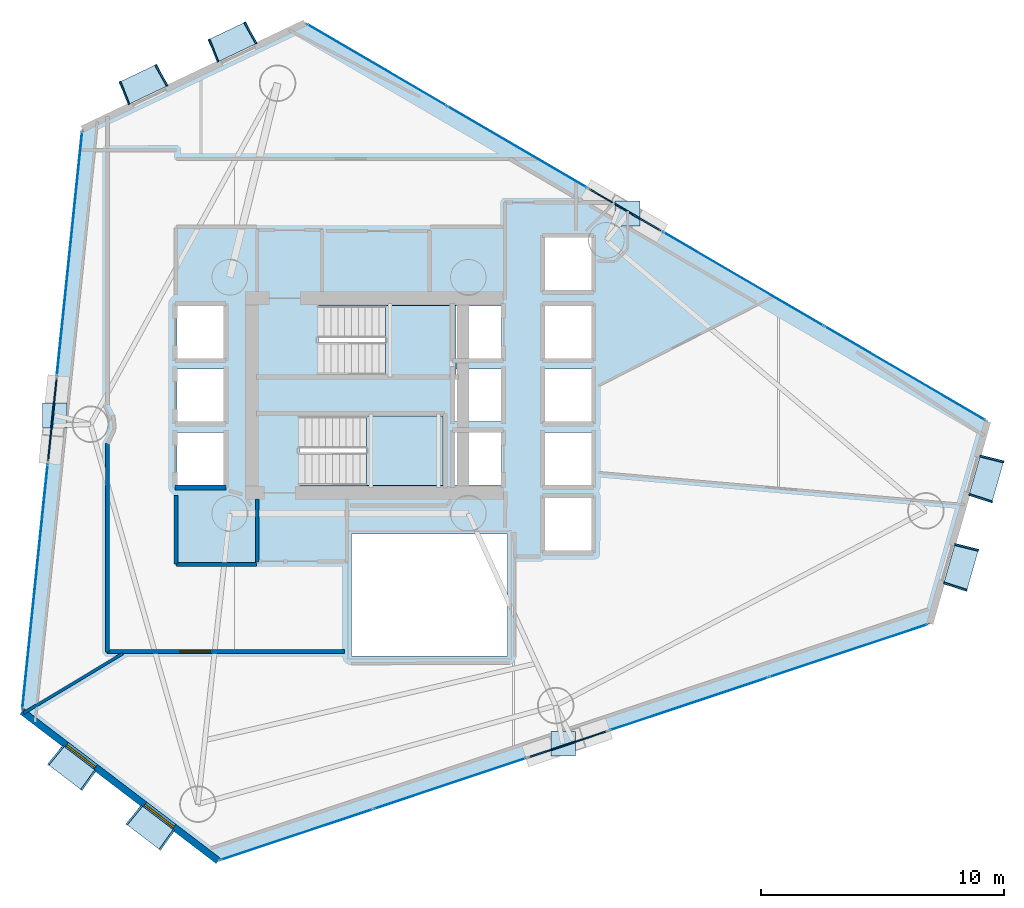
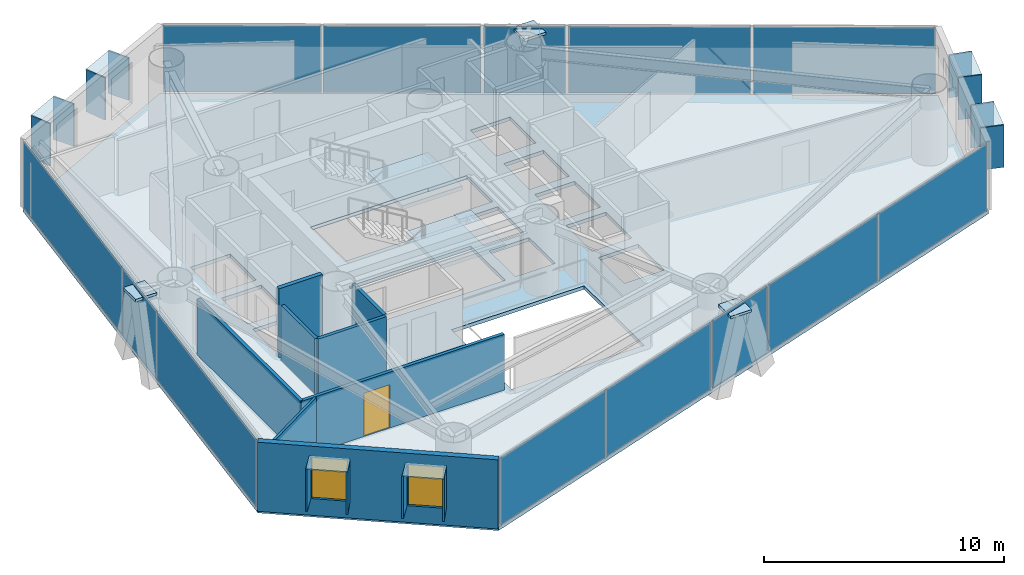
# One storey, part 13 of 19: 34 plates, 8 walls, 3 slabs, 2 windows, 1 door, 3 openings, 11 elements without a shape of their own.
"""IFC4 building model written with IfcOpenShell, lengths in metres."""

import ifcopenshell
import ifcopenshell.guid

model = None  # the IFC model being written
_history = None  # IfcOwnerHistory: only IFC2X3 demands one
_inside = {}  # id of a spatial element -> (the spatial element, [elements in it])
_under = {}  # id of a project, library or spatial element -> (it, [spatial elements below it])
_declared = {}  # id of a project -> (the project, [libraries it declares])
_typed = {}  # id of a type object -> (the type object, [elements of that type])
_made_of = {}  # id of a material, layer set ... -> (it, [elements and type objects made of it])


def new_model(schema):
    """Start an empty IFC model of exactly this schema.

    Asked for "IFC4X3", IfcOpenShell would pick the latest addendum, in which some entities
    have other attributes; the version numbers below select the first issue.
    IFC2X3 requires an IfcOwnerHistory on every rooted entity: one is made here for all.
    """
    global model, _history
    if schema == "IFC4X3":
        model = ifcopenshell.file(schema_version=(4, 3, 0, 0))
    else:
        model = ifcopenshell.file(schema=schema)
    _inside.clear()
    _under.clear()
    _declared.clear()
    _typed.clear()
    _made_of.clear()
    _history = None
    if model.schema == "IFC2X3":
        org = make("IfcOrganization", Name="unknown")
        user = make(
            "IfcPersonAndOrganization",
            ThePerson=make("IfcPerson", FamilyName="unknown"),
            TheOrganization=org,
        )
        app = make(
            "IfcApplication",
            ApplicationDeveloper=org,
            Version="unknown",
            ApplicationFullName="unknown",
            ApplicationIdentifier="unknown",
        )
        _history = make(
            "IfcOwnerHistory",
            OwningUser=user,
            OwningApplication=app,
            ChangeAction="ADDED",
            CreationDate=0,
        )
    return model


def make(cls, **values):
    """One entity of the class cls with the attributes given. An attribute that is None is left unset."""
    return model.create_entity(
        cls, **{name: value for name, value in values.items() if value is not None}
    )


def rooted(cls, **values):
    """An entity with a GlobalId (a new one), such as an element, a storey or a relation."""
    return make(cls, GlobalId=ifcopenshell.guid.new(), OwnerHistory=_history, **values)


def si_unit(unit_type, name, prefix=None):
    """IfcSIUnit, for example si_unit("LENGTHUNIT", "METRE", prefix="MILLI")."""
    return make("IfcSIUnit", UnitType=unit_type, Prefix=prefix, Name=name)


def assignment(units):
    """IfcUnitAssignment: the units of a project."""
    return None if units is None else make("IfcUnitAssignment", Units=units)


def point(xyz):
    """IfcCartesianPoint."""
    return None if xyz is None else make("IfcCartesianPoint", Coordinates=xyz)


def direction(xyz):
    """IfcDirection."""
    return None if xyz is None else make("IfcDirection", DirectionRatios=xyz)


def frame(location, z_axis=None, x_axis=None):
    """IfcAxis2Placement3D, a coordinate frame: its origin and axes. An axis left out is left unset."""
    return make(
        "IfcAxis2Placement3D",
        Location=point(location),
        Axis=direction(z_axis),
        RefDirection=direction(x_axis),
    )


def frame_2d(location, x_axis=None):
    """IfcAxis2Placement2D, a coordinate frame in the plane: its origin and x axis."""
    return make(
        "IfcAxis2Placement2D", Location=point(location), RefDirection=direction(x_axis)
    )


def origin():
    """The frame at (0, 0, 0) with its axes left unset."""
    return frame((0.0, 0.0, 0.0))


def origin_2d():
    """The frame at (0, 0) in the plane with its x axis left unset."""
    return frame_2d((0.0, 0.0))


def place(relative_to, where):
    """IfcLocalPlacement: puts the frame where relative to a parent placement (None: the world)."""
    return make(
        "IfcLocalPlacement", PlacementRelTo=relative_to, RelativePlacement=where
    )


def context(
    kind, dimensions, precision=None, world=None, true_north=None, identifier=None
):
    """IfcGeometricRepresentationContext, for example the 3D "Model" context."""
    return make(
        "IfcGeometricRepresentationContext",
        ContextIdentifier=identifier,
        ContextType=kind,
        CoordinateSpaceDimension=dimensions,
        Precision=precision,
        WorldCoordinateSystem=world,
        TrueNorth=true_north,
    )


def subcontext(parent, identifier, kind, view, scale=None):
    """IfcGeometricRepresentationSubContext, for example "Body" below "Model"."""
    return make(
        "IfcGeometricRepresentationSubContext",
        ContextIdentifier=identifier,
        ContextType=kind,
        ParentContext=parent,
        TargetScale=scale,
        TargetView=view,
    )


def project(units=None, contexts=None):
    """IfcProject with its units and contexts."""
    return rooted(
        "IfcProject",
        Name="project",
        RepresentationContexts=contexts,
        UnitsInContext=assignment(units),
    )


def spatial(cls, under=None, at=None, **own):
    """A site, building, storey or space (cls), placed at a placement, below another one or the project."""
    s = rooted(cls, ObjectPlacement=at, **own)
    if under is not None:
        _under.setdefault(under.id(), (under, []))[1].append(s)
    return s


def polyline(points):
    """IfcPolyline through the points."""
    return make("IfcPolyline", Points=[point(p) for p in points])


def profile(cls, at=None, kind="AREA", **sizes):
    """A parametric profile (cls). Its sizes go by their IFC names, for example OverallWidth=200.0."""
    return make(cls, ProfileType=kind, Position=at, **sizes)


def rectangle(**sizes):
    """IfcRectangleProfileDef."""
    return profile("IfcRectangleProfileDef", **sizes)


def outline(outer, holes=None, kind="AREA"):
    """IfcArbitraryClosedProfileDef: a profile drawn as a closed curve; with holes, ...WithVoids."""
    if holes is None:
        return make("IfcArbitraryClosedProfileDef", ProfileType=kind, OuterCurve=outer)
    return make(
        "IfcArbitraryProfileDefWithVoids",
        ProfileType=kind,
        OuterCurve=outer,
        InnerCurves=holes,
    )


def extrude(swept, where, along, depth):
    """IfcExtrudedAreaSolid: the profile swept, set in the frame where, extruded along a direction by depth."""
    return make(
        "IfcExtrudedAreaSolid",
        SweptArea=swept,
        Position=where,
        ExtrudedDirection=direction(along),
        Depth=depth,
    )


def shape(context_of_items, identifier, shape_type, items):
    """IfcShapeRepresentation: the items that make up one representation, for example the "Body"."""
    return make(
        "IfcShapeRepresentation",
        ContextOfItems=context_of_items,
        RepresentationIdentifier=identifier,
        RepresentationType=shape_type,
        Items=items,
    )


def material(Name=None, Category=None):
    """IfcMaterial."""
    return make("IfcMaterial", Name=Name, Category=Category)


def layer(
    of_material, thickness, ventilated=None, Name=None, Category=None, Priority=None
):
    """IfcMaterialLayer: one layer of a wall or slab, of a material (None: an air gap)."""
    return make(
        "IfcMaterialLayer",
        Material=of_material,
        LayerThickness=thickness,
        IsVentilated=ventilated,
        Name=Name,
        Category=Category,
        Priority=Priority,
    )


def layer_set(layers, Name=None):
    """IfcMaterialLayerSet."""
    return make("IfcMaterialLayerSet", MaterialLayers=layers, LayerSetName=Name)


def made_of(thing, what):
    """Note that an element or type object is made of a material, layer set ...; save() writes the relation."""
    if what is not None:
        _made_of.setdefault(what.id(), (what, []))[1].append(thing)
    return thing


def type_object(cls, material=None, **own):
    """A type object (cls), such as IfcWallType, which elements share."""
    return made_of(rooted(cls, **own), material)


def element(
    cls,
    number,
    at=None,
    inside=None,
    cuts=None,
    type_object=None,
    material=None,
    context=None,
    identifier="Body",
    shape_type=None,
    held_by="IfcProductDefinitionShape",
    body=None,
    shapes=None,
    **own,
):
    """One element of the class cls, such as IfcWall. Its Tag is "e" and its number.

    at: its placement. inside: the storey or other place that contains it. cuts: it is an
    opening in that element (IfcRelVoidsElement). A single representation is given by context,
    identifier, shape_type and body (its items); several are given by shapes. held_by: the class
    of the entity that holds the representations. save() writes the other relations.
    """
    e = rooted(cls, Tag="e%d" % number, ObjectPlacement=at, **own)
    if body is not None:
        shapes = [shape(context, identifier, shape_type, body)]
    if shapes is not None:
        e.Representation = make(held_by, Representations=shapes)
    if inside is not None:
        _inside.setdefault(inside.id(), (inside, []))[1].append(e)
    if cuts is not None:
        rooted(
            "IfcRelVoidsElement", RelatingBuildingElement=cuts, RelatedOpeningElement=e
        )
    if type_object is not None:
        _typed.setdefault(type_object.id(), (type_object, []))[1].append(e)
    return made_of(e, material)


def fill(opening, filler):
    """IfcRelFillsElement: the door or window that sits in an opening."""
    return rooted(
        "IfcRelFillsElement",
        RelatingOpeningElement=opening,
        RelatedBuildingElement=filler,
    )


def aggregate(whole, parts):
    """IfcRelAggregates: a whole, such as a stair, and the parts it consists of."""
    return rooted("IfcRelAggregates", RelatingObject=whole, RelatedObjects=parts)


def save(model, path):
    """Write the relations noted so far, then the file.

    IfcRelAggregates (storeys below a building ...), IfcRelContainedInSpatialStructure (elements
    in a storey), IfcRelDefinesByType, IfcRelAssociatesMaterial and IfcRelDeclares: one each for
    every whole, place, type object, material and project.
    """
    for whole, parts in _under.values():
        aggregate(whole, parts)
    for where, things in _inside.values():
        rooted(
            "IfcRelContainedInSpatialStructure",
            RelatedElements=things,
            RelatingStructure=where,
        )
    for kind, things in _typed.values():
        rooted("IfcRelDefinesByType", RelatedObjects=things, RelatingType=kind)
    for what, things in _made_of.values():
        rooted("IfcRelAssociatesMaterial", RelatedObjects=things, RelatingMaterial=what)
    for by, libraries in _declared.values():
        rooted("IfcRelDeclares", RelatingContext=by, RelatedDefinitions=libraries)
    model.write(path)


model = new_model("IFC4")

# Units and contexts
model_context = context("Model", 3, precision=1e-05, world=origin(), true_north=direction((0.0, 1.0)))
body_context = subcontext(model_context, "Body", "Model", "MODEL_VIEW")
ifc_project = project(units=[si_unit("LENGTHUNIT", "METRE"), si_unit("AREAUNIT", "SQUARE_METRE"), si_unit("VOLUMEUNIT", "CUBIC_METRE"), si_unit("PLANEANGLEUNIT", "RADIAN"), si_unit("MASSUNIT", "GRAM", prefix="KILO")], contexts=[model_context])

# Site, building, storey
site_placement = place(None, origin())
site = spatial("IfcSite", under=ifc_project, at=site_placement, CompositionType="ELEMENT")
building_placement = place(site_placement, origin())
building = spatial("IfcBuilding", under=site, at=building_placement, Name="Qianvela Tower", CompositionType="ELEMENT")
storey_placement = place(building_placement, frame((0.0, 0.0, 120.0)))
storey = spatial("IfcBuildingStorey", under=building, at=storey_placement, Name="L30", CompositionType="ELEMENT", Elevation=120.0)

# Curtain wall, plate
ifc_material_1 = material(Name="Anodised Architectural Aluminium and Insulated Spandrel Panel", Category="aluminium")
ifc_layer_1 = layer(ifc_material_1, 0.179931640625)
ifc_layer_set_1 = layer_set([ifc_layer_1], Name="Anodised Architectural Aluminium and Insulated Spandrel Panel")
curtain_wall_type_1 = type_object("IfcCurtainWallType", Name="CW-BRACEBAY", PredefinedType="USERDEFINED", material=ifc_layer_set_1)
curtain_wall_1_placement = place(storey_placement, origin())
curtain_wall_1 = element("IfcCurtainWall", 1, at=curtain_wall_1_placement, inside=storey, type_object=curtain_wall_type_1, Name="L30 CW-BRACEBAY Curtain Wall 02B", ObjectType="CURTAIN_WALL_SYSTEM", PredefinedType="USERDEFINED")
ifc_material_2 = material(Name="Insulated Aluminium Spandrel Panel with Mineral-Wool Backpan", Category="aluminium")
ifc_layer_2 = layer(ifc_material_2, 0.06005859375)
ifc_layer_set_2 = layer_set([ifc_layer_2], Name="Insulated Aluminium Spandrel Panel with Mineral-Wool Backpan")
plate_type_1 = type_object("IfcPlateType", Name="CW-BRACEBAY-PNL", PredefinedType="CURTAIN_PANEL", material=ifc_layer_set_2)
plate_1_placement = place(storey_placement, frame((44.83203125, 36.32275390625, 0.06494140625), z_axis=(0.0, 0.0, 1.0), x_axis=(-0.863644274059, 0.504101743584, 0.0)))
plate_1 = element("IfcPlate", 2, at=plate_1_placement, type_object=plate_type_1, Name="CW-9 panel 1.1", PredefinedType="CURTAIN_PANEL", context=body_context, shape_type="SweptSolid", body=[
    extrude(rectangle(XDim=3.400146484375, YDim=0.06005859375, at=origin_2d()), origin(), (0.0, 0.0, 1.0), 3.389892578125),
])
aggregate(curtain_wall_1, [plate_1])

curtain_wall_2_placement = place(storey_placement, origin())
curtain_wall_2 = element("IfcCurtainWall", 3, at=curtain_wall_2_placement, inside=storey, type_object=curtain_wall_type_1, Name="L30 CW-BRACEBAY Curtain Wall 04B", ObjectType="CURTAIN_WALL_SYSTEM", PredefinedType="USERDEFINED")
plate_2_placement = place(storey_placement, frame((21.310546875, 27.698486328125, 0.06494140625), z_axis=(0.0, 0.0, 1.0), x_axis=(-0.103143671977, -0.994666468185, 0.0)))
plate_2 = element("IfcPlate", 4, at=plate_2_placement, type_object=plate_type_1, Name="CW-9 panel 1.1", PredefinedType="CURTAIN_PANEL", context=body_context, shape_type="SweptSolid", body=[
    extrude(rectangle(XDim=3.400146484375, YDim=0.06005859375, at=origin_2d()), origin(), (0.0, 0.0, 1.0), 3.389892578125),
])
aggregate(curtain_wall_2, [plate_2])

curtain_wall_3_placement = place(storey_placement, origin())
curtain_wall_3 = element("IfcCurtainWall", 5, at=curtain_wall_3_placement, inside=storey, type_object=curtain_wall_type_1, Name="L30 CW-BRACEBAY Curtain Wall 06B", ObjectType="CURTAIN_WALL_SYSTEM", PredefinedType="USERDEFINED")
plate_3_placement = place(storey_placement, frame((42.49072265625, 14.3701171875, 0.06494140625), z_axis=(0.0, 0.0, 1.0), x_axis=(0.948691796246, 0.31620227029, 0.0)))
plate_3 = element("IfcPlate", 6, at=plate_3_placement, type_object=plate_type_1, Name="CW-9 panel 1.1", PredefinedType="CURTAIN_PANEL", context=body_context, shape_type="SweptSolid", body=[
    extrude(rectangle(XDim=3.39990234375, YDim=0.06005859375, at=origin_2d()), origin(), (0.0, 0.0, 1.0), 3.389892578125),
])
aggregate(curtain_wall_3, [plate_3])

# Curtain wall, plates
ifc_material_3 = material(Name="Anodised Architectural Aluminium and Low-E Glass", Category="aluminium")
ifc_layer_3 = layer(ifc_material_3, 0.169921875)
ifc_layer_set_3 = layer_set([ifc_layer_3], Name="Anodised Architectural Aluminium and Low-E Glass")
curtain_wall_type_2 = type_object("IfcCurtainWallType", Name="CW-COLIV-Z34", PredefinedType="USERDEFINED", material=ifc_layer_set_3)
curtain_wall_4_placement = place(storey_placement, origin())
curtain_wall_4 = element("IfcCurtainWall", 7, at=curtain_wall_4_placement, inside=storey, type_object=curtain_wall_type_2, Name="L30 CW-COLIV-Z34 Curtain Wall 02A", ObjectType="CURTAIN_WALL_SYSTEM", PredefinedType="USERDEFINED")
ifc_material_4 = material(Name="Double-Silver Low-E Insulated Glass", Category="glass")
ifc_layer_4 = layer(ifc_material_4, 0.028076171875)
ifc_layer_set_4 = layer_set([ifc_layer_4], Name="Double-Silver Low-E Insulated Glass")
plate_type_2 = type_object("IfcPlateType", Name="CW-COLIV-Z34-PNL", PredefinedType="CURTAIN_PANEL", material=ifc_layer_set_4)
plate_4_placement = place(storey_placement, frame((56.3369140625, 29.607177734375, 0.06494140625), z_axis=(0.0, 0.0, 1.0), x_axis=(-0.863631717425, 0.504123255422, 0.0)))
plate_4 = element("IfcPlate", 8, at=plate_4_placement, type_object=plate_type_2, Name="CW-4 panel 1.1", PredefinedType="CURTAIN_PANEL", context=body_context, shape_type="SweptSolid", body=[
    extrude(rectangle(XDim=7.617431640625, YDim=0.028076171875, at=origin_2d()), origin(), (0.0, 0.0, 1.0), 3.389892578125),
])
plate_5_placement = place(storey_placement, frame((49.701904296875, 33.47998046875, 0.06494140625), z_axis=(0.0, 0.0, 1.0), x_axis=(-0.863631717425, 0.504123255422, 0.0)))
plate_5 = element("IfcPlate", 9, at=plate_5_placement, type_object=plate_type_2, Name="CW-4 panel 2.1", PredefinedType="CURTAIN_PANEL", context=body_context, shape_type="SweptSolid", body=[
    extrude(rectangle(XDim=7.617431640625, YDim=0.028076171875, at=origin_2d()), origin(), (0.0, 0.0, 1.0), 3.389892578125),
])
aggregate(curtain_wall_4, [plate_4, plate_5])

curtain_wall_5_placement = place(storey_placement, origin())
curtain_wall_5 = element("IfcCurtainWall", 10, at=curtain_wall_5_placement, inside=storey, type_object=curtain_wall_type_2, Name="L30 CW-COLIV-Z34 Curtain Wall 02C", ObjectType="CURTAIN_WALL_SYSTEM", PredefinedType="USERDEFINED")
plate_6_placement = place(storey_placement, frame((40.400390625, 38.909423828125, 0.06494140625), z_axis=(0.0, 0.0, 1.0), x_axis=(-0.86363163287, 0.504123400276, 0.0)))
plate_6 = element("IfcPlate", 11, at=plate_6_placement, type_object=plate_type_2, Name="CW-4 panel 1.1", PredefinedType="CURTAIN_PANEL", context=body_context, shape_type="SweptSolid", body=[
    extrude(rectangle(XDim=6.60302734375, YDim=0.028076171875, at=origin_2d()), origin(), (0.0, 0.0, 1.0), 3.389892578125),
])
plate_7_placement = place(storey_placement, frame((34.6416015625, 42.27099609375, 0.06494140625), z_axis=(0.0, 0.0, 1.0), x_axis=(-0.86363163287, 0.504123400276, 0.0)))
plate_7 = element("IfcPlate", 12, at=plate_7_placement, type_object=plate_type_2, Name="CW-4 panel 2.1", PredefinedType="CURTAIN_PANEL", context=body_context, shape_type="SweptSolid", body=[
    extrude(rectangle(XDim=6.60302734375, YDim=0.028076171875, at=origin_2d()), origin(), (0.0, 0.0, 1.0), 3.389892578125),
])
aggregate(curtain_wall_5, [plate_6, plate_7])

# Curtain wall, plate
curtain_wall_6_placement = place(storey_placement, origin())
curtain_wall_6 = element("IfcCurtainWall", 13, at=curtain_wall_6_placement, inside=storey, type_object=curtain_wall_type_2, Name="L30 CW-COLIV-Z34 Curtain Wall 04A", ObjectType="CURTAIN_WALL_SYSTEM", PredefinedType="USERDEFINED")
plate_8_placement = place(storey_placement, frame((22.01806640625, 34.521728515625, 0.06494140625), z_axis=(0.0, 0.0, 1.0), x_axis=(-0.10313016986, -0.994667868218, 0.0)))
plate_8 = element("IfcPlate", 14, at=plate_8_placement, type_object=plate_type_2, Name="CW-4 panel 1.1", PredefinedType="CURTAIN_PANEL", context=body_context, shape_type="SweptSolid", body=[
    extrude(rectangle(XDim=10.06005859375, YDim=0.028076171875, at=origin_2d()), origin(), (0.0, 0.0, 1.0), 3.389892578125),
])
aggregate(curtain_wall_6, [plate_8])

curtain_wall_7_placement = place(storey_placement, origin())
curtain_wall_7 = element("IfcCurtainWall", 15, at=curtain_wall_7_placement, inside=storey, type_object=curtain_wall_type_2, Name="L30 CW-COLIV-Z34 Curtain Wall 04C", ObjectType="CURTAIN_WALL_SYSTEM", PredefinedType="USERDEFINED")
plate_9_placement = place(storey_placement, frame((20.60107421875, 20.85546875, 0.06494140625), z_axis=(0.0, 0.0, 1.0), x_axis=(-0.103135621161, -0.994667302995, 0.0)))
plate_9 = element("IfcPlate", 16, at=plate_9_placement, type_object=plate_type_2, Name="CW-4 panel 1.1", PredefinedType="CURTAIN_PANEL", context=body_context, shape_type="SweptSolid", body=[
    extrude(rectangle(XDim=10.099365234375, YDim=0.028076171875, at=origin_2d()), origin(), (0.0, 0.0, 1.0), 3.389892578125),
])
aggregate(curtain_wall_7, [plate_9])

# Curtain wall, plates
curtain_wall_8_placement = place(storey_placement, origin())
curtain_wall_8 = element("IfcCurtainWall", 17, at=curtain_wall_8_placement, inside=storey, type_object=curtain_wall_type_2, Name="L30 CW-COLIV-Z34 Curtain Wall 06A", ObjectType="CURTAIN_WALL_SYSTEM", PredefinedType="USERDEFINED")
plate_10_placement = place(storey_placement, frame((31.346923828125, 10.656005859375, 0.06494140625), z_axis=(0.0, 0.0, 1.0), x_axis=(0.948693800142, 0.316196257999, 0.0)))
plate_10 = element("IfcPlate", 18, at=plate_10_placement, type_object=plate_type_2, Name="CW-4 panel 1.1", PredefinedType="CURTAIN_PANEL", context=body_context, shape_type="SweptSolid", body=[
    extrude(rectangle(XDim=6.567626953125, YDim=0.028076171875, at=origin_2d()), origin(), (0.0, 0.0, 1.0), 3.389892578125),
])
plate_11_placement = place(storey_placement, frame((37.63916015625, 12.753173828125, 0.06494140625), z_axis=(0.0, 0.0, 1.0), x_axis=(0.948693800142, 0.316196257999, 0.0)))
plate_11 = element("IfcPlate", 19, at=plate_11_placement, type_object=plate_type_2, Name="CW-4 panel 2.1", PredefinedType="CURTAIN_PANEL", context=body_context, shape_type="SweptSolid", body=[
    extrude(rectangle(XDim=6.567626953125, YDim=0.028076171875, at=origin_2d()), origin(), (0.0, 0.0, 1.0), 3.389892578125),
])
aggregate(curtain_wall_8, [plate_10, plate_11])

curtain_wall_9_placement = place(storey_placement, origin())
curtain_wall_9 = element("IfcCurtainWall", 20, at=curtain_wall_9_placement, inside=storey, type_object=curtain_wall_type_2, Name="L30 CW-COLIV-Z34 Curtain Wall 06C", ObjectType="CURTAIN_WALL_SYSTEM", PredefinedType="USERDEFINED")
plate_12_placement = place(storey_placement, frame((47.465576171875, 16.0283203125, 0.06494140625), z_axis=(0.0, 0.0, 1.0), x_axis=(0.948694127089, 0.316195277047, 0.0)))
plate_12 = element("IfcPlate", 21, at=plate_12_placement, type_object=plate_type_2, Name="CW-4 panel 1.1", PredefinedType="CURTAIN_PANEL", context=body_context, shape_type="SweptSolid", body=[
    extrude(rectangle(XDim=6.827880859375, YDim=0.028076171875, at=origin_2d()), origin(), (0.0, 0.0, 1.0), 3.389892578125),
])
plate_13_placement = place(storey_placement, frame((54.0048828125, 18.207763671875, 0.06494140625), z_axis=(0.0, 0.0, 1.0), x_axis=(0.948694127089, 0.316195277047, 0.0)))
plate_13 = element("IfcPlate", 22, at=plate_13_placement, type_object=plate_type_2, Name="CW-4 panel 2.1", PredefinedType="CURTAIN_PANEL", context=body_context, shape_type="SweptSolid", body=[
    extrude(rectangle(XDim=6.827880859375, YDim=0.028076171875, at=origin_2d()), origin(), (0.0, 0.0, 1.0), 3.389892578125),
])
aggregate(curtain_wall_9, [plate_12, plate_13])

# Plates
ifc_material_5 = material(Name="Steel Q420GJC", Category="steel")
ifc_layer_5 = layer(ifc_material_5, 0.1298828125)
ifc_layer_set_5 = layer_set([ifc_layer_5], Name="Steel Q420GJC")
plate_type_3 = type_object("IfcPlateType", Name="PT-ENDCAP-130", PredefinedType="USERDEFINED", material=ifc_layer_set_5)
for number, where, z_axis, x_axis, name in (
    (23, (44.943603515625, 36.1650390625, 3.210205078125), (0.0, 0.0, 1.0), (1.0, 0.0, 0.0), "L30 Hollow Section End Cap Plate B"),
    (24, (21.408935546875, 27.870849609375, 3.210205078125), (0.0, 0.0, 1.0), (1.0, 0.0, 0.0), "L30 Hollow Section End Cap Plate B"),
    (25, (42.2978515625, 14.39013671875, 3.210205078125), (0.0, 0.0, 1.0), (1.0, 0.0, 0.0), "L30 Hollow Section End Cap Plate B"),
):
    element("IfcPlate", number, at=place(storey_placement, frame(where, z_axis=z_axis, x_axis=x_axis)), inside=storey, type_object=plate_type_3, Name=name, ObjectType="END_CAP", PredefinedType="USERDEFINED", context=body_context, shape_type="SweptSolid", body=[
        extrude(rectangle(XDim=1.02001953125, YDim=1.02001953125, at=origin_2d()), origin(), (0.0, 0.0, 1.0), 0.1298828125),
    ])

# Slab
ifc_material_6 = material(Name="Concrete C40", Category="concrete")
ifc_layer_6 = layer(ifc_material_6, 0.179931640625)
ifc_layer_set_6 = layer_set([ifc_layer_6], Name="Concrete C40")
slab_type_1 = type_object("IfcSlabType", Name="SL-FLOOR-180", PredefinedType="FLOOR", material=ifc_layer_set_6)
slab_1_placement = place(storey_placement, frame((0.0, 0.0, -0.179931640625)))
element("IfcSlab", 26, at=slab_1_placement, inside=storey, type_object=slab_type_1, Name="L30 Composite Structural Floor Slab", PredefinedType="FLOOR", context=body_context, shape_type="SweptSolid", body=[
    extrude(outline(polyline([(57.352783203125, 19.323486328125), (59.7255859375, 27.629150390625), (31.69091796875, 43.993408203125), (22.548828125, 39.639404296875), (20.068359375, 15.718505859375), (28.122802734375, 9.581298828125), (57.352783203125, 19.323486328125)]), holes=[polyline([(40.0, 23.0), (33.60009765625, 23.0), (33.60009765625, 18.0), (40.0, 18.0), (40.0, 23.0)]), polyline([(28.360107421875, 25.02001953125), (28.360107421875, 27.179931640625), (26.43994140625, 27.179931640625), (26.43994140625, 25.02001953125), (28.360107421875, 25.02001953125)]), polyline([(37.35009765625, 25.0), (37.35009765625, 27.860107421875), (31.469970703125, 27.860107421875), (31.469970703125, 25.0), (37.35009765625, 25.0)]), polyline([(28.360107421875, 27.6201171875), (28.360107421875, 29.780029296875), (26.43994140625, 29.780029296875), (26.43994140625, 27.6201171875), (28.360107421875, 27.6201171875)]), polyline([(37.89990234375, 32.3798828125), (37.89990234375, 32.39990234375), (32.25, 32.39990234375), (32.25, 29.5400390625), (37.840087890625, 29.5400390625), (37.840087890625, 27.6201171875), (39.760009765625, 27.6201171875), (39.760009765625, 29.780029296875), (37.89990234375, 29.780029296875), (37.89990234375, 30.219970703125), (39.760009765625, 30.219970703125), (39.760009765625, 32.3798828125), (37.89990234375, 32.3798828125)]), polyline([(28.360107421875, 30.219970703125), (28.360107421875, 32.3798828125), (26.43994140625, 32.3798828125), (26.43994140625, 30.219970703125), (28.360107421875, 30.219970703125)]), polyline([(43.4599609375, 24.47998046875), (41.5400390625, 24.47998046875), (41.5400390625, 22.320068359375), (43.4599609375, 22.320068359375), (43.4599609375, 24.47998046875)]), polyline([(39.760009765625, 25.02001953125), (39.760009765625, 27.179931640625), (37.840087890625, 27.179931640625), (37.840087890625, 25.02001953125), (39.760009765625, 25.02001953125)]), polyline([(43.4599609375, 25.02001953125), (43.4599609375, 27.179931640625), (41.5400390625, 27.179931640625), (41.5400390625, 25.02001953125), (43.4599609375, 25.02001953125)]), polyline([(43.4599609375, 27.6201171875), (43.4599609375, 29.780029296875), (41.5400390625, 29.780029296875), (41.5400390625, 27.6201171875), (43.4599609375, 27.6201171875)]), polyline([(43.4599609375, 30.219970703125), (43.4599609375, 32.3798828125), (41.5400390625, 32.3798828125), (41.5400390625, 30.219970703125), (43.4599609375, 30.219970703125)]), polyline([(43.4599609375, 33.02001953125), (43.4599609375, 35.179931640625), (41.5400390625, 35.179931640625), (41.5400390625, 33.02001953125), (43.4599609375, 33.02001953125)])]), origin(), (0.0, 0.0, 1.0), 0.179931640625),
])

# Stair, slab
ifc_material_7 = material(Name="Concrete C40", Category="concrete")
stair_type = type_object("IfcStairType", Name="ST-DOGLEG-1350-R168-N22", PredefinedType="HALF_TURN_STAIR", material=ifc_material_7)
stair_1_placement = place(storey_placement, origin())
stair_1 = element("IfcStair", 27, at=stair_1_placement, inside=storey, type_object=stair_type, Name="L30 Smoke-Proof Core Stair ST-1", PredefinedType="HALF_TURN_STAIR")
ifc_material_8 = material(Name="Concrete C40", Category="concrete")
ifc_layer_7 = layer(ifc_material_8, 0.199951171875)
ifc_layer_set_7 = layer_set([ifc_layer_7], Name="Concrete C40")
slab_type_2 = type_object("IfcSlabType", Name="SL-STAIR-LANDING-200", PredefinedType="LANDING", material=ifc_layer_set_7)
slab_2_placement = place(storey_placement, frame((0.0, 0.0, 1.64990234375)))
slab_2 = element("IfcSlab", 28, at=slab_2_placement, type_object=slab_type_2, Name="ST-1 landing 1", PredefinedType="LANDING", context=body_context, shape_type="SweptSolid", body=[
    extrude(outline(polyline([(35.0, 29.5400390625), (37.89990234375, 29.5400390625), (37.89990234375, 32.39990234375), (35.0, 32.39990234375), (35.0, 29.5400390625)])), origin(), (0.0, 0.0, 1.0), 0.2001953125),
])
aggregate(stair_1, [slab_2])

stair_2_placement = place(storey_placement, origin())
stair_2 = element("IfcStair", 29, at=stair_2_placement, inside=storey, type_object=stair_type, Name="L30 Smoke-Proof Core Stair ST-2", PredefinedType="HALF_TURN_STAIR")
slab_3_placement = place(storey_placement, frame((0.0, 0.0, 1.64990234375)))
slab_3 = element("IfcSlab", 30, at=slab_3_placement, type_object=slab_type_2, Name="ST-2 landing 1", PredefinedType="LANDING", context=body_context, shape_type="SweptSolid", body=[
    extrude(outline(polyline([(34.219970703125, 25.0), (37.35009765625, 25.0), (37.35009765625, 27.860107421875), (34.219970703125, 27.860107421875), (34.219970703125, 25.0)])), origin(), (0.0, 0.0, 1.0), 0.2001953125),
])
aggregate(stair_2, [slab_3])

# Plates
ifc_material_9 = material(Name="Vitrified Architectural Terracotta Panel", Category="masonry")
ifc_layer_8 = layer(ifc_material_9, 0.06005859375)
ifc_layer_set_8 = layer_set([ifc_layer_8], Name="Vitrified Architectural Terracotta Panel")
plate_type_4 = type_object("IfcPlateType", Name="TERRACOTTA-SUNSHADE-HOOD-FOLD-A", PredefinedType="USERDEFINED", material=ifc_layer_set_8)
for number, where, z_axis, x_axis, name in (
    (31, (28.6923828125, 43.224365234375, 2.9599609375), (0.0, 0.0, 1.0), (-0.902838344487, -0.429980143407, 0.0), "L30 Terracotta Sunshade Hood FOLD-A"),
    (32, (25.03564453125, 41.48291015625, 2.9599609375), (0.0, 0.0, 1.0), (-0.902838344487, -0.429980143407, 0.0), "L30 Terracotta Sunshade Hood FOLD-A"),
):
    element("IfcPlate", number, at=place(storey_placement, frame(where, z_axis=z_axis, x_axis=x_axis)), inside=storey, type_object=plate_type_4, Name=name, ObjectType="SUNSHADE", PredefinedType="USERDEFINED", context=body_context, shape_type="SweptSolid", body=[
        extrude(rectangle(XDim=1.739990234375, YDim=0.989990234375, at=origin_2d()), origin(), (0.0, 0.0, 1.0), 0.06005859375),
    ])
ifc_material_10 = material(Name="Vitrified Architectural Terracotta Panel", Category="masonry")
ifc_layer_9 = layer(ifc_material_10, 0.070068359375)
ifc_layer_set_9 = layer_set([ifc_layer_9], Name="Vitrified Architectural Terracotta Panel")
plate_type_5 = type_object("IfcPlateType", Name="TERRACOTTA-SUNSHADE-HOOD-FOLD-C", PredefinedType="USERDEFINED", material=ifc_layer_set_9)
for number, where, z_axis, x_axis, name in (
    (33, (58.63671875, 21.65185546875, 2.9599609375), (0.0, 0.0, 1.0), (0.274689311195, 0.961533037558, 0.0), "L30 Terracotta Sunshade Hood FOLD-C"),
    (34, (59.673583984375, 25.28173828125, 2.9599609375), (0.0, 0.0, 1.0), (0.274689311195, 0.961533037558, 0.0), "L30 Terracotta Sunshade Hood FOLD-C"),
    (35, (22.1240234375, 13.404052734375, 2.9599609375), (0.0, 0.0, 1.0), (0.795407901942, -0.606074475232, 0.0), "L30 Terracotta Sunshade Hood FOLD-C"),
    (36, (25.345703125, 10.94921875, 2.9599609375), (0.0, 0.0, 1.0), (0.795407901942, -0.606074475232, 0.0), "L30 Terracotta Sunshade Hood FOLD-C"),
):
    element("IfcPlate", number, at=place(storey_placement, frame(where, z_axis=z_axis, x_axis=x_axis)), inside=storey, type_object=plate_type_5, Name=name, ObjectType="SUNSHADE", PredefinedType="USERDEFINED", context=body_context, shape_type="SweptSolid", body=[
        extrude(rectangle(XDim=1.739990234375, YDim=0.989990234375, at=origin_2d()), origin(), (0.0, 0.0, 1.0), 0.06005859375),
    ])
ifc_material_11 = material(Name="Vitrified Architectural Terracotta Side Fin Panel", Category="masonry")
ifc_layer_10 = layer(ifc_material_11, 0.06494140625)
ifc_layer_set_10 = layer_set([ifc_layer_10], Name="Vitrified Architectural Terracotta Side Fin Panel")
plate_type_6 = type_object("IfcPlateType", Name="TERRACOTTA-SUNSHADE-STRUT-FOLD-A", PredefinedType="USERDEFINED", material=ifc_layer_set_10)
for number, where, z_axis, x_axis, name in (
    (37, (29.450927734375, 43.585693359375, 0.85009765625), (0.0, 0.0, 1.0), (-0.870645177072, -0.491911552661, 0.0), "L30 Terracotta Sunshade Side Fin HL FOLD-A"),
    (38, (27.93408203125, 42.86328125, 0.85009765625), (0.0, 0.0, 1.0), (-0.93063297424, -0.365953914116, 0.0), "L30 Terracotta Sunshade Side Fin HR FOLD-A"),
    (39, (25.7939453125, 41.843994140625, 0.85009765625), (0.0, 0.0, 1.0), (-0.870645177072, -0.491911552661, 0.0), "L30 Terracotta Sunshade Side Fin HL FOLD-A"),
    (40, (24.277099609375, 41.12158203125, 0.85009765625), (0.0, 0.0, 1.0), (-0.93063297424, -0.365953914116, 0.0), "L30 Terracotta Sunshade Side Fin HR FOLD-A"),
):
    element("IfcPlate", number, at=place(storey_placement, frame(where, z_axis=z_axis, x_axis=x_axis)), inside=storey, type_object=plate_type_6, Name=name, ObjectType="SUNSHADE", PredefinedType="USERDEFINED", context=body_context, shape_type="SweptSolid", body=[
        extrude(rectangle(XDim=0.06494140625, YDim=1.010009765625, at=origin_2d()), origin(), (0.0, 0.0, 1.0), 2.159912109375),
    ])
ifc_material_12 = material(Name="Vitrified Architectural Terracotta Side Fin Panel", Category="masonry")
ifc_layer_11 = layer(ifc_material_12, 0.074951171875)
ifc_layer_set_11 = layer_set([ifc_layer_11], Name="Vitrified Architectural Terracotta Side Fin Panel")
plate_type_7 = type_object("IfcPlateType", Name="TERRACOTTA-SUNSHADE-STRUT-FOLD-C", PredefinedType="USERDEFINED", material=ifc_layer_set_11)
for number, where, z_axis, x_axis, name in (
    (41, (58.406005859375, 20.843994140625, 0.85009765625), (0.0, 0.0, 1.0), (0.308078996962, 0.951360778901, 0.0), "L30 Terracotta Sunshade Side Fin HL FOLD-C"),
    (42, (58.867431640625, 22.45947265625, 0.85009765625), (0.0, 0.0, 1.0), (0.240964958815, 0.970533816321, 0.0), "L30 Terracotta Sunshade Side Fin HR FOLD-C"),
    (43, (59.443115234375, 24.47412109375, 0.85009765625), (0.0, 0.0, 1.0), (0.308078996962, 0.951360778901, 0.0), "L30 Terracotta Sunshade Side Fin HL FOLD-C"),
    (44, (59.904296875, 26.08935546875, 0.85009765625), (0.0, 0.0, 1.0), (0.240964958815, 0.970533816321, 0.0), "L30 Terracotta Sunshade Side Fin HR FOLD-C"),
    (45, (21.455810546875, 13.9130859375, 0.85009765625), (0.0, 0.0, 1.0), (0.77377166679, -0.633464606488, 0.0), "L30 Terracotta Sunshade Side Fin HL FOLD-C"),
    (46, (22.792236328125, 12.89501953125, 0.85009765625), (0.0, 0.0, 1.0), (0.816075055089, -0.577945935586, 0.0), "L30 Terracotta Sunshade Side Fin HR FOLD-C"),
    (47, (24.677734375, 11.458251953125, 0.85009765625), (0.0, 0.0, 1.0), (0.77377166679, -0.633464606488, 0.0), "L30 Terracotta Sunshade Side Fin HL FOLD-C"),
    (48, (26.013916015625, 10.440185546875, 0.85009765625), (0.0, 0.0, 1.0), (0.816075055089, -0.577945935586, 0.0), "L30 Terracotta Sunshade Side Fin HR FOLD-C"),
):
    element("IfcPlate", number, at=place(storey_placement, frame(where, z_axis=z_axis, x_axis=x_axis)), inside=storey, type_object=plate_type_7, Name=name, ObjectType="SUNSHADE", PredefinedType="USERDEFINED", context=body_context, shape_type="SweptSolid", body=[
        extrude(rectangle(XDim=0.074951171875, YDim=1.010009765625, at=origin_2d()), origin(), (0.0, 0.0, 1.0), 2.159912109375),
    ])

# Wall, openings, windows
ifc_material_13 = material(Name="Terracotta Cladding on Concrete C40", Category="masonry")
ifc_layer_12 = layer(ifc_material_13, 0.280029296875)
ifc_layer_set_12 = layer_set([ifc_layer_12], Name="Terracotta Cladding on Concrete C40")
wall_type_1 = type_object("IfcWallType", Name="TERRACOTTA-WALL-280", PredefinedType="SOLIDWALL", material=ifc_layer_set_12)
wall_1_placement = place(storey_placement, frame((20.068359375, 15.718505859375, 0.0), z_axis=(0.0, 0.0, 1.0), x_axis=(0.795408474358, -0.606073723997, 0.0)))
wall_1 = element("IfcWall", 49, at=wall_1_placement, inside=storey, type_object=wall_type_1, Name="L30 Terracotta Chamfer Facet Wall 5", PredefinedType="SOLIDWALL", context=body_context, shape_type="SweptSolid", body=[
    extrude(rectangle(XDim=10.126220703125, YDim=0.280029296875, at=frame_2d((5.06298828125, 0.0))), origin(), (0.0, 0.0, 1.0), 3.52001953125),
])
opening_1_placement = place(wall_1_placement, frame((2.287841796875, 0.0, 0.85009765625)))
opening_1 = element("IfcOpeningElement", 50, at=opening_1_placement, cuts=wall_1, Name="Opening W-02", PredefinedType="OPENING", context=body_context, shape_type="SweptSolid", body=[
    extrude(rectangle(XDim=1.5, YDim=2.10009765625, at=frame_2d((0.75, 1.050048828125))), frame((0.0, 0.14990234375, 0.0), z_axis=(0.0, -1.0, 0.0), x_axis=(1.0, 0.0, 0.0)), (0.0, 0.0, 1.0), 0.300048828125),
])
opening_2_placement = place(wall_1_placement, frame((6.338134765625, 0.0, 0.85009765625)))
opening_2 = element("IfcOpeningElement", 51, at=opening_2_placement, cuts=wall_1, Name="Opening W-02", PredefinedType="OPENING", context=body_context, shape_type="SweptSolid", body=[
    extrude(rectangle(XDim=1.5, YDim=2.10009765625, at=frame_2d((0.75, 1.050048828125))), frame((0.0, 0.14990234375, 0.0), z_axis=(0.0, -1.0, 0.0), x_axis=(1.0, 0.0, 0.0)), (0.0, 0.0, 1.0), 0.300048828125),
])
ifc_material_14 = material(Name="Thermally Broken Aluminium and Low-E Glass", Category="aluminium")
window_type = type_object("IfcWindowType", Name="WIN-TC-1500x2100", PartitioningType="DOUBLE_PANEL_VERTICAL", PredefinedType="WINDOW", material=ifc_material_14)
window_1_placement = place(opening_1_placement, origin())
window_1 = element("IfcWindow", 52, at=window_1_placement, inside=storey, type_object=window_type, Name="L30 Chamfer Facet Window 5.1", OverallHeight=2.10009765625, OverallWidth=1.5, PartitioningType="SINGLE_PANEL", PredefinedType="WINDOW", context=body_context, shape_type="SweptSolid", body=[
    extrude(rectangle(XDim=1.5, YDim=2.10009765625, at=frame_2d((0.75, 1.050048828125))), frame((0.0, 0.030029296875, 0.0), z_axis=(0.0, -1.0, 0.0), x_axis=(1.0, 0.0, 0.0)), (0.0, 0.0, 1.0), 0.06005859375),
])
fill(opening_1, window_1)
window_2_placement = place(opening_2_placement, origin())
window_2 = element("IfcWindow", 53, at=window_2_placement, inside=storey, type_object=window_type, Name="L30 Chamfer Facet Window 5.2", OverallHeight=2.10009765625, OverallWidth=1.5, PartitioningType="SINGLE_PANEL", PredefinedType="WINDOW", context=body_context, shape_type="SweptSolid", body=[
    extrude(rectangle(XDim=1.5, YDim=2.10009765625, at=frame_2d((0.75, 1.050048828125))), frame((0.0, 0.030029296875, 0.0), z_axis=(0.0, -1.0, 0.0), x_axis=(1.0, 0.0, 0.0)), (0.0, 0.0, 1.0), 0.06005859375),
])
fill(opening_2, window_2)

# Walls
ifc_material_15 = material(Name="Fire-Rated Gypsum and Concrete Block", Category="concrete")
ifc_layer_13 = layer(ifc_material_15, 0.159912109375)
ifc_layer_set_13 = layer_set([ifc_layer_13], Name="Fire-Rated Gypsum and Concrete Block")
wall_type_2 = type_object("IfcWallType", Name="WT-CORR-160", PredefinedType="PARTITIONING", material=ifc_layer_set_13)
wall_2_placement = place(storey_placement, frame((29.73095703125, 21.85009765625, 0.0), z_axis=(0.0, 0.0, 1.0), x_axis=(0.0, 1.0, 0.0)))
element("IfcWall", 54, at=wall_2_placement, inside=storey, type_object=wall_type_2, Name="L30 Partition 6", PredefinedType="PARTITIONING", context=body_context, shape_type="SweptSolid", body=[
    extrude(rectangle(XDim=2.591796875, YDim=0.159912109375, at=frame_2d((1.2958984375, 0.0))), origin(), (0.0, 0.0, 1.0), 2.840087890625),
])
wall_3_placement = place(storey_placement, frame((26.388916015625, 24.581298828125, 0.0), z_axis=(0.0, 0.0, 1.0), x_axis=(0.0, -1.0, 0.0)))
element("IfcWall", 55, at=wall_3_placement, inside=storey, type_object=wall_type_2, Name="L30 Partition 45", PredefinedType="PARTITIONING", context=body_context, shape_type="SweptSolid", body=[
    extrude(rectangle(XDim=2.80126953125, YDim=0.159912109375, at=frame_2d((1.400634765625, 0.0))), origin(), (0.0, 0.0, 1.0), 2.840087890625),
])
wall_4_placement = place(storey_placement, frame((26.419921875, 21.7490234375, 0.0), z_axis=(0.0, 0.0, 1.0), x_axis=(1.0, 0.0, 0.0)))
element("IfcWall", 56, at=wall_4_placement, inside=storey, type_object=wall_type_2, Name="L30 Partition 46 seg 1", PredefinedType="PARTITIONING", context=body_context, shape_type="SweptSolid", body=[
    extrude(rectangle(XDim=3.280029296875, YDim=0.159912109375, at=frame_2d((1.64013671875, 0.0))), origin(), (0.0, 0.0, 1.0), 2.840087890625),
])

# Wall, opening, door
wall_5_placement = place(storey_placement, frame((33.320068359375, 18.180908203125, 0.0), z_axis=(0.0, 0.0, 1.0), x_axis=(-1.0, 0.0, 0.0)))
wall_5 = element("IfcWall", 57, at=wall_5_placement, inside=storey, type_object=wall_type_2, Name="L30 Partition 47", PredefinedType="PARTITIONING", context=body_context, shape_type="SweptSolid", body=[
    extrude(rectangle(XDim=9.77001953125, YDim=0.159912109375, at=frame_2d((4.885009765625, 0.0))), origin(), (0.0, 0.0, 1.0), 2.840087890625),
])
opening_3_placement = place(wall_5_placement, frame((5.52001953125, 0.0, 0.0)))
opening_3 = element("IfcOpeningElement", 58, at=opening_3_placement, cuts=wall_5, Name="Opening D-LG1", PredefinedType="OPENING", context=body_context, shape_type="SweptSolid", body=[
    extrude(rectangle(XDim=1.25, YDim=2.199951171875, at=frame_2d((0.625, 1.10009765625))), frame((0.0, 0.08984375, 0.0), z_axis=(0.0, -1.0, 0.0), x_axis=(1.0, 0.0, 0.0)), (0.0, 0.0, 1.0), 0.179931640625),
])
ifc_material_16 = material(Name="Anodised Aluminium Acoustic Glass Door", Category="aluminium")
door_type = type_object("IfcDoorType", Name="DT-LOUNGE-1250", OperationType="NOTDEFINED", PredefinedType="DOOR", material=ifc_material_16)
door_placement = place(opening_3_placement, origin())
door = element("IfcDoor", 59, at=door_placement, inside=storey, type_object=door_type, Name="L30 Door Student Wellness Lounge L30-04 to L30 Floor Corridor", OperationType="SINGLE_SWING_LEFT", OverallHeight=2.199951171875, OverallWidth=1.25, PredefinedType="DOOR", context=body_context, shape_type="SweptSolid", body=[
    extrude(rectangle(XDim=1.25, YDim=2.199951171875, at=frame_2d((0.625, 1.10009765625))), frame((0.0, 0.02490234375, 0.0), z_axis=(0.0, -1.0, 0.0), x_axis=(1.0, 0.0, 0.0)), (0.0, 0.0, 1.0), 0.050048828125),
])
fill(opening_3, door)

# Walls
wall_6_placement = place(storey_placement, frame((23.5810546875, 18.14990234375, 0.0), z_axis=(0.0, 0.0, 1.0), x_axis=(0.0, 1.0, 0.0)))
element("IfcWall", 60, at=wall_6_placement, inside=storey, type_object=wall_type_2, Name="L30 Partition 48", PredefinedType="PARTITIONING", context=body_context, shape_type="SweptSolid", body=[
    extrude(rectangle(XDim=8.575439453125, YDim=0.159912109375, at=frame_2d((4.28759765625, 0.0))), origin(), (0.0, 0.0, 1.0), 2.840087890625),
])
ifc_material_17 = material(Name="Insulated Gypsum Stud Partition")
ifc_layer_14 = layer(ifc_material_17, 0.1201171875)
ifc_layer_set_14 = layer_set([ifc_layer_14], Name="Insulated Gypsum Stud Partition")
wall_type_3 = type_object("IfcWallType", Name="WT-PART-120", PredefinedType="PARTITIONING", material=ifc_layer_set_14)
wall_7_placement = place(storey_placement, frame((24.204833984375, 18.0966796875, 0.0), z_axis=(0.0, 0.0, 1.0), x_axis=(-0.857166497939, -0.51503941093, 0.0)))
element("IfcWall", 61, at=wall_7_placement, inside=storey, type_object=wall_type_3, Name="L30 Partition 69", PredefinedType="PARTITIONING", context=body_context, shape_type="SweptSolid", body=[
    extrude(rectangle(XDim=4.75390625, YDim=0.1201171875, at=frame_2d((2.376953125, 0.0))), origin(), (0.0, 0.0, 1.0), 2.840087890625),
])
ifc_material_18 = material(Name="Concrete C50", Category="concrete")
ifc_layer_15 = layer(ifc_material_18, 0.199951171875)
ifc_layer_set_15 = layer_set([ifc_layer_15], Name="Concrete C50")
wall_type_4 = type_object("IfcWallType", Name="WT-SHAFT-200", PredefinedType="SOLIDWALL", material=ifc_layer_set_15)
wall_8_placement = place(storey_placement, frame((26.35009765625, 24.919921875, 0.0), z_axis=(0.0, 0.0, 1.0), x_axis=(1.0, 0.0, 0.0)))
element("IfcWall", 62, at=wall_8_placement, inside=storey, type_object=wall_type_4, Name="L30 Lift PL-L3 S Shaft Wall", PredefinedType="SOLIDWALL", context=body_context, shape_type="SweptSolid", body=[
    extrude(rectangle(XDim=2.099853515625, YDim=0.199951171875, at=frame_2d((1.0498046875, 0.0))), origin(), (0.0, 0.0, 1.0), 3.52001953125),
])

save(model, "model.ifc")
